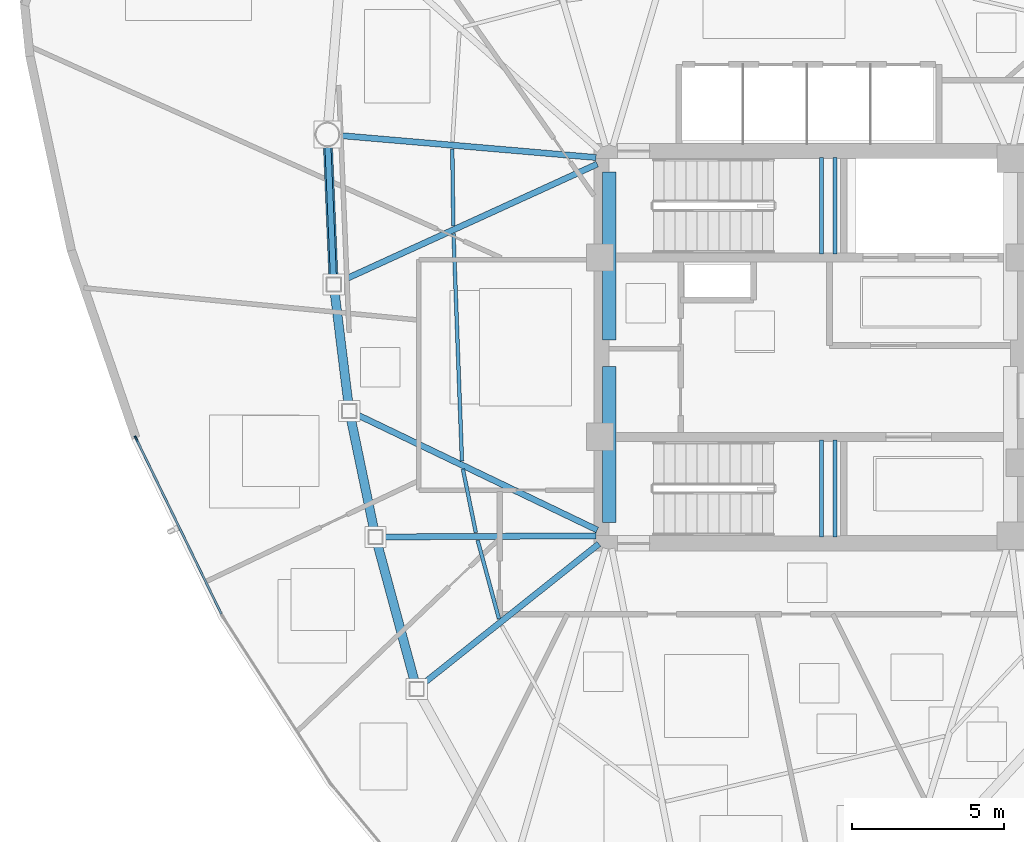
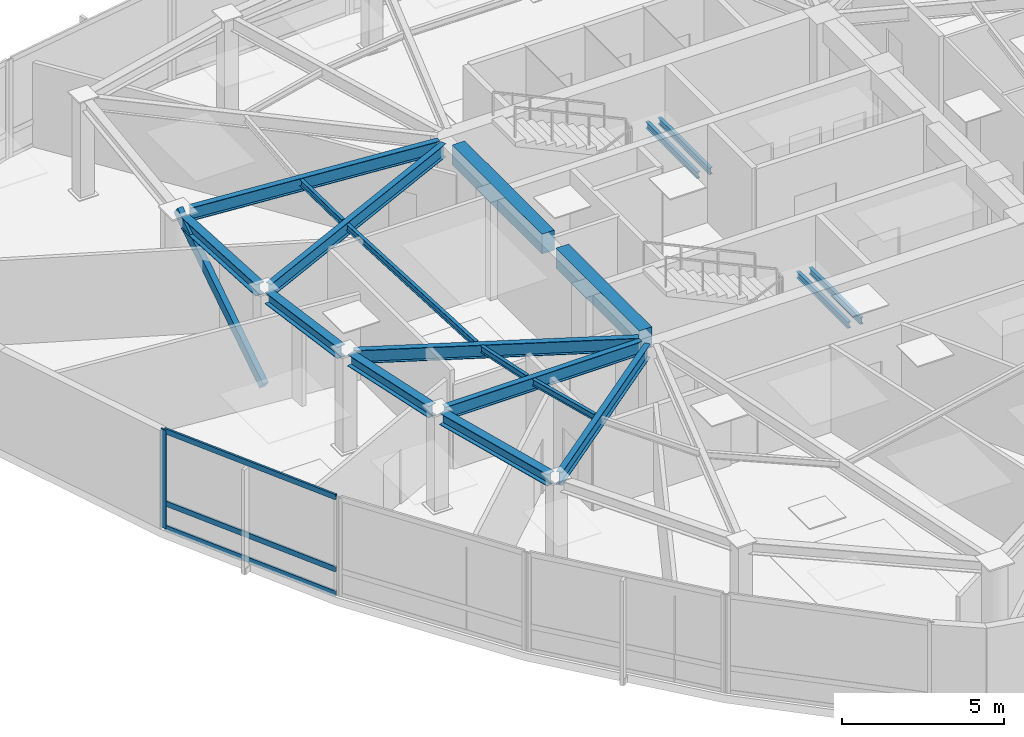
# One storey, part 3 of 12: 19 beams, 5 members, 1 element without a shape of its own.
"""IFC4 building model written with IfcOpenShell, lengths in metres."""

from ifc_helpers import new_model, si_unit, direction, frame, origin, origin_2d, place, context, subcontext, project, spatial, rectangle, hollow_rectangle, i_section, extrude, source, transform, mapped, material, layer, layer_set, material_profile, profile_set, type_object, type_shapes, element, aggregate, save


model = new_model("IFC4")

# Units and contexts
model_context = context("Model", 3, precision=1e-05, world=origin(), true_north=direction((0.0, 1.0)))
body_context = subcontext(model_context, "Body", "Model", "MODEL_VIEW")
ifc_project = project(units=[si_unit("LENGTHUNIT", "METRE"), si_unit("AREAUNIT", "SQUARE_METRE"), si_unit("VOLUMEUNIT", "CUBIC_METRE"), si_unit("PLANEANGLEUNIT", "RADIAN"), si_unit("MASSUNIT", "GRAM", prefix="KILO")], contexts=[model_context])

# Site, building, storey
site_placement = place(None, origin())
site = spatial("IfcSite", under=ifc_project, at=site_placement, CompositionType="ELEMENT")
building_placement = place(site_placement, origin())
building = spatial("IfcBuilding", under=site, at=building_placement, Name="Tavelor Broadcast Tower", CompositionType="ELEMENT")
storey_placement = place(building_placement, frame((0.0, 0.0, 293.5)))
storey = spatial("IfcBuildingStorey", under=building, at=storey_placement, Name="L70", CompositionType="ELEMENT", Elevation=293.5)

# Beams
ifc_material_1 = material(Name="Concrete C40/50", Category="concrete")
ifc_material_profile_1 = material_profile(ifc_material_1, rectangle(XDim=0.449951171875, YDim=0.75, at=origin_2d()), Name="RC 450x750")
ifc_profile_set_1 = profile_set([ifc_material_profile_1], Name="Concrete C40/50")
beam_type_1 = type_object("IfcBeamType", Name="Basement Core Trim Beam 450x750", PredefinedType="BEAM", material=ifc_profile_set_1)
beam_1_placement = place(storey_placement, frame((43.39990234375, 45.23193359375, 3.324951171875), z_axis=(0.0, 1.0, 0.0), x_axis=(-1.0, 0.0, 0.0)))
element("IfcBeam", 1, at=beam_1_placement, inside=storey, type_object=beam_type_1, Name="L70 Core West-N Tie Girder", PredefinedType="BEAM", context=body_context, shape_type="SweptSolid", body=[
    extrude(rectangle(XDim=0.449951171875, YDim=0.75, at=origin_2d()), origin(), (0.0, 0.0, 1.0), 5.5361328125),
])
beam_2_placement = place(storey_placement, frame((43.39990234375, 39.23193359375, 3.324951171875), z_axis=(0.0, 1.0, 0.0), x_axis=(-1.0, 0.0, 0.0)))
element("IfcBeam", 2, at=beam_2_placement, inside=storey, type_object=beam_type_1, Name="L70 Core West-S Tie Girder", PredefinedType="BEAM", context=body_context, shape_type="SweptSolid", body=[
    extrude(rectangle(XDim=0.449951171875, YDim=0.75, at=origin_2d()), origin(), (0.0, 0.0, 1.0), 5.135986328125),
])
ifc_material_2 = material(Name="Steel S355", Category="steel")
ifc_material_profile_2 = material_profile(ifc_material_2, i_section(OverallWidth=0.1201171875, OverallDepth=0.239990234375, WebThickness=0.006103515625, FlangeThickness=0.009765625, at=origin_2d()), Name="IPE 240")
ifc_profile_set_2 = profile_set([ifc_material_profile_2], Name="Steel S355")
beam_type_2 = type_object("IfcBeamType", Name="Composite Floor Joist T7 IPE 240", PredefinedType="JOIST", material=ifc_profile_set_2)
beam_3_placement = place(storey_placement, frame((38.241455078125, 51.514404296875, 3.580078125), z_axis=(0.013238113163, -0.999912372341, 0.0), x_axis=(0.999912372341, 0.013238113163, 0.0)))
element("IfcBeam", 3, at=beam_3_placement, inside=storey, type_object=beam_type_2, Name="L70 Secondary Composite Floor Joist 01", PredefinedType="JOIST", context=body_context, shape_type="SweptSolid", body=[
    extrude(i_section(OverallWidth=0.1201171875, OverallDepth=0.239990234375, WebThickness=0.006103515625, FlangeThickness=0.009765625, at=origin_2d()), origin(), (0.0, 0.0, 1.0), 2.526611328125),
])
beam_4_placement = place(storey_placement, frame((38.281494140625, 48.730224609375, 3.580078125), z_axis=(0.037116611217, -0.999310941185, 0.0), x_axis=(0.999310941185, 0.037116611217, 0.0)))
element("IfcBeam", 4, at=beam_4_placement, inside=storey, type_object=beam_type_2, Name="L70 Secondary Composite Floor Joist 02", PredefinedType="JOIST", context=body_context, shape_type="SweptSolid", body=[
    extrude(i_section(OverallWidth=0.1201171875, OverallDepth=0.239990234375, WebThickness=0.006103515625, FlangeThickness=0.009765625, at=origin_2d()), origin(), (0.0, 0.0, 1.0), 7.4853515625),
])
beam_5_placement = place(storey_placement, frame((38.58984375, 40.99462890625, 3.580078125), z_axis=(0.199500807381, -0.979897661929, 0.0), x_axis=(0.979897661929, 0.199500807381, 0.0)))
element("IfcBeam", 5, at=beam_5_placement, inside=storey, type_object=beam_type_2, Name="L70 Secondary Composite Floor Joist 03", PredefinedType="JOIST", context=body_context, shape_type="SweptSolid", body=[
    extrude(i_section(OverallWidth=0.1201171875, OverallDepth=0.239990234375, WebThickness=0.006103515625, FlangeThickness=0.009765625, at=origin_2d()), origin(), (0.0, 0.0, 1.0), 2.135498046875),
])
beam_6_placement = place(storey_placement, frame((39.075439453125, 38.651123046875, 3.580078125), z_axis=(0.261967616798, -0.965076664182, 0.0), x_axis=(0.965076664182, 0.261967616798, 0.0)))
element("IfcBeam", 6, at=beam_6_placement, inside=storey, type_object=beam_type_2, Name="L70 Secondary Composite Floor Joist 04", PredefinedType="JOIST", context=body_context, shape_type="SweptSolid", body=[
    extrude(i_section(OverallWidth=0.1201171875, OverallDepth=0.239990234375, WebThickness=0.006103515625, FlangeThickness=0.009765625, at=origin_2d()), origin(), (0.0, 0.0, 1.0), 2.677490234375),
])
ifc_material_profile_3 = material_profile(ifc_material_2, i_section(OverallWidth=0.300048828125, OverallDepth=0.43994140625, WebThickness=0.011474609375, FlangeThickness=0.02099609375, at=origin_2d()), Name="HEA 450")
ifc_profile_set_3 = profile_set([ifc_material_profile_3], Name="Steel S355")
beam_type_3 = type_object("IfcBeamType", Name="Perimeter Spandrel Beam T7 HEA 450", PredefinedType="SPANDREL", material=ifc_profile_set_3)
beam_7_placement = place(storey_placement, frame((34.151123046875, 51.60595703125, 3.47998046875), z_axis=(0.041873296911, -0.999122928876, 0.0), x_axis=(0.999122928876, 0.041873296911, 0.0)))
element("IfcBeam", 7, at=beam_7_placement, inside=storey, type_object=beam_type_3, Name="L70 Framed-Tube Ring Spandrel 01", PredefinedType="SPANDREL", context=body_context, shape_type="SweptSolid", body=[
    extrude(i_section(OverallWidth=0.300048828125, OverallDepth=0.43994140625, WebThickness=0.011474609375, FlangeThickness=0.02099609375, at=origin_2d()), origin(), (0.0, 0.0, 1.0), 4.30859375),
])
beam_8_placement = place(storey_placement, frame((34.370849609375, 46.822998046875, 3.47998046875), z_axis=(0.122301764237, -0.992492961418, 0.0), x_axis=(0.992492961418, 0.122301764237, 0.0)))
element("IfcBeam", 8, at=beam_8_placement, inside=storey, type_object=beam_type_3, Name="L70 Framed-Tube Ring Spandrel 02", PredefinedType="SPANDREL", context=body_context, shape_type="SweptSolid", body=[
    extrude(i_section(OverallWidth=0.300048828125, OverallDepth=0.43994140625, WebThickness=0.011474609375, FlangeThickness=0.02099609375, at=origin_2d()), origin(), (0.0, 0.0, 1.0), 3.7109375),
])
beam_9_placement = place(storey_placement, frame((34.903076171875, 42.666748046875, 3.47998046875), z_axis=(0.203665911817, -0.979040446746, 0.0), x_axis=(0.979040446746, 0.203665911817, 0.0)))
element("IfcBeam", 9, at=beam_9_placement, inside=storey, type_object=beam_type_3, Name="L70 Framed-Tube Ring Spandrel 03", PredefinedType="SPANDREL", context=body_context, shape_type="SweptSolid", body=[
    extrude(i_section(OverallWidth=0.300048828125, OverallDepth=0.43994140625, WebThickness=0.011474609375, FlangeThickness=0.02099609375, at=origin_2d()), origin(), (0.0, 0.0, 1.0), 3.753173828125),
])
beam_10_placement = place(storey_placement, frame((35.779296875, 38.525390625, 3.47998046875), z_axis=(0.261032085305, -0.965330125108, 0.0), x_axis=(0.965330125108, 0.261032085305, 0.0)))
element("IfcBeam", 10, at=beam_10_placement, inside=storey, type_object=beam_type_3, Name="L70 Framed-Tube Ring Spandrel 04", PredefinedType="SPANDREL", context=body_context, shape_type="SweptSolid", body=[
    extrude(i_section(OverallWidth=0.300048828125, OverallDepth=0.43994140625, WebThickness=0.011474609375, FlangeThickness=0.02099609375, at=origin_2d()), origin(), (0.0, 0.0, 1.0), 4.697021484375),
])

# Member
ifc_material_profile_4 = material_profile(ifc_material_2, hollow_rectangle(XDim=0.199951171875, YDim=0.35009765625, WallThickness=0.01611328125, at=origin_2d()), Name="RHS 350x200x16")
ifc_profile_set_4 = profile_set([ifc_material_profile_4], Name="Steel S355")
member_type_1 = type_object("IfcMemberType", Name="Perimeter Tube Brace T7 RHS 350x200x16", PredefinedType="BRACE", material=ifc_profile_set_4)
member_1_placement = place(storey_placement, frame((34.341552734375, 47.061279296875, 0.0), z_axis=(-0.033508994779, 0.799626685339, 0.599561766095), x_axis=(-0.999123106787, -0.041869051625, 0.0)))
element("IfcMember", 11, at=member_1_placement, inside=storey, type_object=member_type_1, Name="L70 Corner Tube Diagonal Brace 1", PredefinedType="BRACE", context=body_context, shape_type="SweptSolid", body=[
    extrude(hollow_rectangle(XDim=0.199951171875, YDim=0.35009765625, WallThickness=0.01611328125, at=origin_2d()), origin(), (0.0, 0.0, 1.0), 6.171142578125),
])

# Beams
ifc_material_profile_5 = material_profile(ifc_material_2, i_section(OverallWidth=0.199951171875, OverallDepth=0.5, WebThickness=0.01025390625, FlangeThickness=0.01611328125, at=origin_2d()), Name="IPE 500")
ifc_profile_set_5 = profile_set([ifc_material_profile_5], Name="Steel S355")
beam_type_4 = type_object("IfcBeamType", Name="Radial Floor Girder T7 IPE 500", PredefinedType="BEAM", material=ifc_profile_set_5)
beam_11_placement = place(storey_placement, frame((42.969482421875, 51.237060546875, 3.449951171875), z_axis=(-0.996332421592, 0.085566966079, 0.0), x_axis=(-0.085566966079, -0.996332421592, 0.0)))
element("IfcBeam", 12, at=beam_11_placement, inside=storey, type_object=beam_type_4, Name="L70 Radial Primary Floor Girder 01", PredefinedType="BEAM", context=body_context, shape_type="SweptSolid", body=[
    extrude(i_section(OverallWidth=0.199951171875, OverallDepth=0.5, WebThickness=0.01025390625, FlangeThickness=0.01611328125, at=origin_2d()), origin(), (0.0, 0.0, 1.0), 8.476806640625),
])
beam_12_placement = place(storey_placement, frame((43.007080078125, 51.0205078125, 3.449951171875), z_axis=(-0.909555398284, -0.415582696285, 0.0), x_axis=(0.415582696285, -0.909555398284, 0.0)))
element("IfcBeam", 13, at=beam_12_placement, inside=storey, type_object=beam_type_4, Name="L70 Radial Primary Floor Girder 02", PredefinedType="BEAM", context=body_context, shape_type="SweptSolid", body=[
    extrude(i_section(OverallWidth=0.199951171875, OverallDepth=0.5, WebThickness=0.01025390625, FlangeThickness=0.01611328125, at=origin_2d()), origin(), (0.0, 0.0, 1.0), 9.287353515625),
])
beam_13_placement = place(storey_placement, frame((43.010498046875, 38.98681640625, 3.449951171875), z_axis=(-0.901529113374, 0.432718450888, 0.0), x_axis=(-0.432718450888, -0.901529113374, 0.0)))
element("IfcBeam", 14, at=beam_13_placement, inside=storey, type_object=beam_type_4, Name="L70 Radial Primary Floor Girder 03", PredefinedType="BEAM", context=body_context, shape_type="SweptSolid", body=[
    extrude(i_section(OverallWidth=0.199951171875, OverallDepth=0.5, WebThickness=0.01025390625, FlangeThickness=0.01611328125, at=origin_2d()), origin(), (0.0, 0.0, 1.0), 8.80712890625),
])
beam_14_placement = place(storey_placement, frame((42.968017578125, 38.797607421875, 3.449951171875), z_axis=(-0.999984286501, -0.005605956688, 0.0), x_axis=(0.005605956688, -0.999984286501, 0.0)))
element("IfcBeam", 15, at=beam_14_placement, inside=storey, type_object=beam_type_4, Name="L70 Radial Primary Floor Girder 04", PredefinedType="BEAM", context=body_context, shape_type="SweptSolid", body=[
    extrude(i_section(OverallWidth=0.199951171875, OverallDepth=0.5, WebThickness=0.01025390625, FlangeThickness=0.01611328125, at=origin_2d()), origin(), (0.0, 0.0, 1.0), 7.011474609375),
])
beam_15_placement = place(storey_placement, frame((43.06201171875, 38.531005859375, 3.449951171875), z_axis=(-0.782384634469, -0.622795539279, 0.0), x_axis=(0.622795539279, -0.782384634469, 0.0)))
element("IfcBeam", 16, at=beam_15_placement, inside=storey, type_object=beam_type_4, Name="L70 Radial Primary Floor Girder 05", PredefinedType="BEAM", context=body_context, shape_type="SweptSolid", body=[
    extrude(i_section(OverallWidth=0.199951171875, OverallDepth=0.5, WebThickness=0.01025390625, FlangeThickness=0.01611328125, at=origin_2d()), origin(), (0.0, 0.0, 1.0), 7.421142578125),
])
ifc_material_profile_6 = material_profile(ifc_material_2, i_section(OverallWidth=0.1201171875, OverallDepth=0.239990234375, WebThickness=0.006103515625, FlangeThickness=0.009765625, at=origin_2d()), Name="IPE 240")
ifc_profile_set_6 = profile_set([ifc_material_profile_6], Name="Steel S355")
beam_type_5 = type_object("IfcBeamType", Name="Stairwell Landing Support Trimmer Beam IPE240", PredefinedType="BEAM", material=ifc_profile_set_6)
for number, where, z_axis, x_axis, name in (
    (17, (50.385009765625, 48.06005859375, 1.68505859375), (0.0, 1.0, 0.0), (-1.0, 0.0, 0.0), "L70 Stair Landing Support Beam 181"),
    (18, (50.824951171875, 48.06005859375, 1.68505859375), (0.0, 1.0, 0.0), (-1.0, 0.0, 0.0), "L70 Stair Landing Support Beam 182"),
    (19, (50.385009765625, 38.760009765625, 1.68505859375), (0.0, 1.0, 0.0), (-1.0, 0.0, 0.0), "L70 Stair Landing Support Beam 395"),
    (20, (50.824951171875, 38.760009765625, 1.68505859375), (0.0, 1.0, 0.0), (-1.0, 0.0, 0.0), "L70 Stair Landing Support Beam 396"),
):
    element("IfcBeam", number, at=place(storey_placement, frame(where, z_axis=z_axis, x_axis=x_axis)), inside=storey, type_object=beam_type_5, Name=name, PredefinedType="BEAM", context=body_context, shape_type="SweptSolid", body=[
        extrude(i_section(OverallWidth=0.1201171875, OverallDepth=0.239990234375, WebThickness=0.006103515625, FlangeThickness=0.009765625, at=origin_2d()), origin(), (0.0, 0.0, 1.0), 3.179931640625),
    ])

# Curtain wall, members
ifc_material_3 = material(Name="Architectural Anodized Aluminium", Category="aluminium")
ifc_layer = layer(ifc_material_3, 0.199951171875)
ifc_layer_set = layer_set([ifc_layer], Name="Architectural Anodized Aluminium")
curtain_wall_type = type_object("IfcCurtainWallType", Name="Tower High-Zone Triple-Glazed Curtain Wall CW04", PredefinedType="NOTDEFINED", material=ifc_layer_set)
curtain_wall_placement = place(storey_placement, origin())
curtain_wall = element("IfcCurtainWall", 21, at=curtain_wall_placement, inside=storey, type_object=curtain_wall_type, Name="L70 Curtain Wall CW04 Run 769", PredefinedType="NOTDEFINED")
ifc_material_profile_7 = material_profile(ifc_material_3, hollow_rectangle(XDim=0.070068359375, YDim=0.199951171875, WallThickness=0.02197265625, at=origin_2d()), Name="RHS 70x200x22")
ifc_profile_set_7 = profile_set([ifc_material_profile_7], Name="Architectural Anodized Aluminium")
member_type_2 = type_object("IfcMemberType", Name="CW04 Extruded Aluminium Mullion 70x200", PredefinedType="MULLION", material=ifc_profile_set_7)
shared_shape_1 = source(origin(), body_context, "Body", "SweptSolid", [
    extrude(hollow_rectangle(XDim=0.070068359375, YDim=0.199951171875, WallThickness=0.02197265625, at=origin_2d()), origin(), (0.0, 0.0, 1.0), 3.699951171875),
])
type_shapes(member_type_2, [shared_shape_1])
member_2_placement = place(storey_placement, frame((27.845947265625, 41.988037109375, 0.0), z_axis=(0.0, 0.0, 1.0), x_axis=(0.899371122599, 0.437185983119, 0.0)))
member_2 = element("IfcMember", 22, at=member_2_placement, type_object=member_type_2, Name="CW04 mullion 1", PredefinedType="MULLION", context=body_context, shape_type="MappedRepresentation", body=[
    mapped(shared_shape_1, transform((0.0, 0.0, 0.0), scale=1.0)),
])
ifc_material_profile_8 = material_profile(ifc_material_3, hollow_rectangle(XDim=0.070068359375, YDim=0.199951171875, WallThickness=0.02197265625, at=origin_2d()), Name="RHS 70x200x22")
ifc_profile_set_8 = profile_set([ifc_material_profile_8], Name="Architectural Anodized Aluminium")
member_type_3 = type_object("IfcMemberType", Name="CW04 Extruded Aluminium Transom 70x200", PredefinedType="USERDEFINED", material=ifc_profile_set_8)
shared_shape_2 = source(origin(), body_context, "Body", "SweptSolid", [
    extrude(hollow_rectangle(XDim=0.070068359375, YDim=0.199951171875, WallThickness=0.02197265625, at=origin_2d()), origin(), (0.0, 0.0, 1.0), 6.3759765625),
])
type_shapes(member_type_3, [shared_shape_2])
member_3_placement = place(storey_placement, frame((27.861328125, 41.95654296875, 0.034912109375), z_axis=(0.43719958945, -0.899364508408, 0.0), x_axis=(0.899364508408, 0.43719958945, 0.0)))
member_3 = element("IfcMember", 23, at=member_3_placement, type_object=member_type_3, Name="CW04 transom 1.1", ObjectType="TRANSOM", PredefinedType="USERDEFINED", context=body_context, shape_type="MappedRepresentation", body=[
    mapped(shared_shape_2, transform((0.0, 0.0, 0.0), scale=1.0)),
])
member_4_placement = place(storey_placement, frame((27.861328125, 41.95654296875, 0.949951171875), z_axis=(0.43719958945, -0.899364508408, 0.0), x_axis=(0.899364508408, 0.43719958945, 0.0)))
member_4 = element("IfcMember", 24, at=member_4_placement, type_object=member_type_3, Name="CW04 transom 1.2", ObjectType="TRANSOM", PredefinedType="USERDEFINED", context=body_context, shape_type="MappedRepresentation", body=[
    mapped(shared_shape_2, transform((0.0, 0.0, 0.0), scale=1.0)),
])
member_5_placement = place(storey_placement, frame((27.861328125, 41.95654296875, 3.6650390625), z_axis=(0.43719958945, -0.899364508408, 0.0), x_axis=(0.899364508408, 0.43719958945, 0.0)))
member_5 = element("IfcMember", 25, at=member_5_placement, type_object=member_type_3, Name="CW04 transom 1.3", ObjectType="TRANSOM", PredefinedType="USERDEFINED", context=body_context, shape_type="MappedRepresentation", body=[
    mapped(shared_shape_2, transform((0.0, 0.0, 0.0), scale=1.0)),
])
aggregate(curtain_wall, [member_2, member_3, member_4, member_5])

save(model, "model.ifc")
